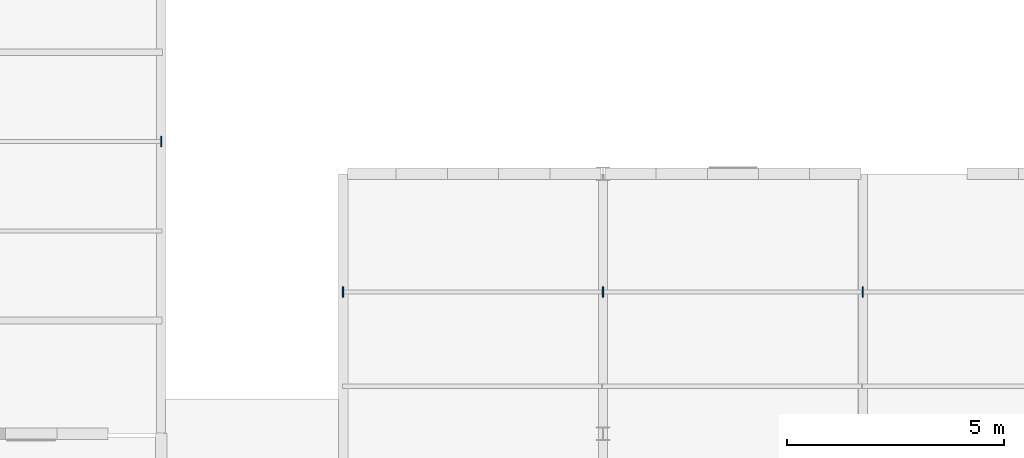
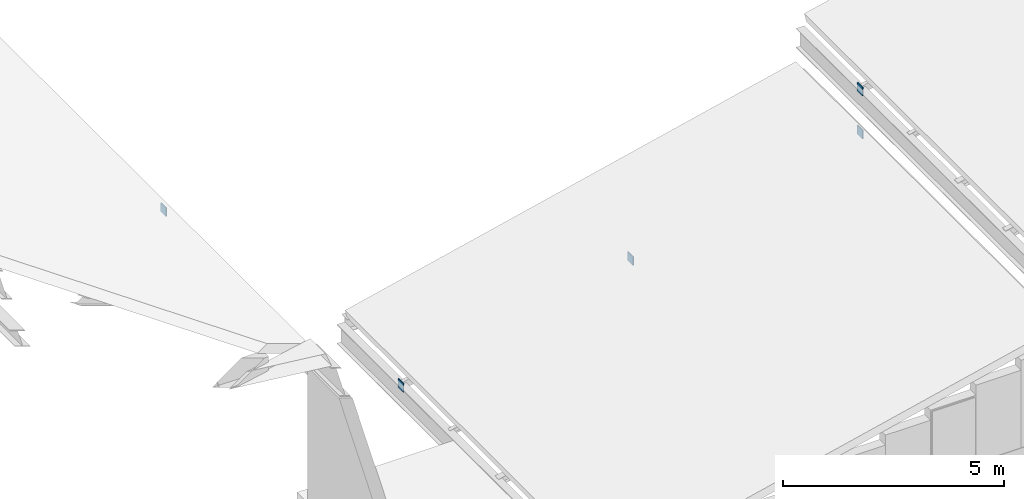
# One storey, part 51 of 74: 5 plates.
"""IFC4 building model written with IfcOpenShell, lengths in metres."""

import ifcopenshell
import ifcopenshell.guid

model = None  # the IFC model being written
_history = None  # IfcOwnerHistory: only IFC2X3 demands one
_inside = {}  # id of a spatial element -> (the spatial element, [elements in it])
_under = {}  # id of a project, library or spatial element -> (it, [spatial elements below it])
_declared = {}  # id of a project -> (the project, [libraries it declares])
_typed = {}  # id of a type object -> (the type object, [elements of that type])
_made_of = {}  # id of a material, layer set ... -> (it, [elements and type objects made of it])


def new_model(schema):
    """Start an empty IFC model of exactly this schema.

    Asked for "IFC4X3", IfcOpenShell would pick the latest addendum, in which some entities
    have other attributes; the version numbers below select the first issue.
    IFC2X3 requires an IfcOwnerHistory on every rooted entity: one is made here for all.
    """
    global model, _history
    if schema == "IFC4X3":
        model = ifcopenshell.file(schema_version=(4, 3, 0, 0))
    else:
        model = ifcopenshell.file(schema=schema)
    _inside.clear()
    _under.clear()
    _declared.clear()
    _typed.clear()
    _made_of.clear()
    _history = None
    if model.schema == "IFC2X3":
        org = make("IfcOrganization", Name="unknown")
        user = make(
            "IfcPersonAndOrganization",
            ThePerson=make("IfcPerson", FamilyName="unknown"),
            TheOrganization=org,
        )
        app = make(
            "IfcApplication",
            ApplicationDeveloper=org,
            Version="unknown",
            ApplicationFullName="unknown",
            ApplicationIdentifier="unknown",
        )
        _history = make(
            "IfcOwnerHistory",
            OwningUser=user,
            OwningApplication=app,
            ChangeAction="ADDED",
            CreationDate=0,
        )
    return model


def make(cls, **values):
    """One entity of the class cls with the attributes given. An attribute that is None is left unset."""
    return model.create_entity(
        cls, **{name: value for name, value in values.items() if value is not None}
    )


def rooted(cls, **values):
    """An entity with a GlobalId (a new one), such as an element, a storey or a relation."""
    return make(cls, GlobalId=ifcopenshell.guid.new(), OwnerHistory=_history, **values)


def si_unit(unit_type, name, prefix=None):
    """IfcSIUnit, for example si_unit("LENGTHUNIT", "METRE", prefix="MILLI")."""
    return make("IfcSIUnit", UnitType=unit_type, Prefix=prefix, Name=name)


def assignment(units):
    """IfcUnitAssignment: the units of a project."""
    return None if units is None else make("IfcUnitAssignment", Units=units)


def point(xyz):
    """IfcCartesianPoint."""
    return None if xyz is None else make("IfcCartesianPoint", Coordinates=xyz)


def direction(xyz):
    """IfcDirection."""
    return None if xyz is None else make("IfcDirection", DirectionRatios=xyz)


def frame(location, z_axis=None, x_axis=None):
    """IfcAxis2Placement3D, a coordinate frame: its origin and axes. An axis left out is left unset."""
    return make(
        "IfcAxis2Placement3D",
        Location=point(location),
        Axis=direction(z_axis),
        RefDirection=direction(x_axis),
    )


def frame_2d(location, x_axis=None):
    """IfcAxis2Placement2D, a coordinate frame in the plane: its origin and x axis."""
    return make(
        "IfcAxis2Placement2D", Location=point(location), RefDirection=direction(x_axis)
    )


def origin():
    """The frame at (0, 0, 0) with its axes left unset."""
    return frame((0.0, 0.0, 0.0))


def origin_2d():
    """The frame at (0, 0) in the plane with its x axis left unset."""
    return frame_2d((0.0, 0.0))


def place(relative_to, where):
    """IfcLocalPlacement: puts the frame where relative to a parent placement (None: the world)."""
    return make(
        "IfcLocalPlacement", PlacementRelTo=relative_to, RelativePlacement=where
    )


def context(
    kind, dimensions, precision=None, world=None, true_north=None, identifier=None
):
    """IfcGeometricRepresentationContext, for example the 3D "Model" context."""
    return make(
        "IfcGeometricRepresentationContext",
        ContextIdentifier=identifier,
        ContextType=kind,
        CoordinateSpaceDimension=dimensions,
        Precision=precision,
        WorldCoordinateSystem=world,
        TrueNorth=true_north,
    )


def subcontext(parent, identifier, kind, view, scale=None):
    """IfcGeometricRepresentationSubContext, for example "Body" below "Model"."""
    return make(
        "IfcGeometricRepresentationSubContext",
        ContextIdentifier=identifier,
        ContextType=kind,
        ParentContext=parent,
        TargetScale=scale,
        TargetView=view,
    )


def project(units=None, contexts=None):
    """IfcProject with its units and contexts."""
    return rooted(
        "IfcProject",
        Name="project",
        RepresentationContexts=contexts,
        UnitsInContext=assignment(units),
    )


def spatial(cls, under=None, at=None, **own):
    """A site, building, storey or space (cls), placed at a placement, below another one or the project."""
    s = rooted(cls, ObjectPlacement=at, **own)
    if under is not None:
        _under.setdefault(under.id(), (under, []))[1].append(s)
    return s


def profile(cls, at=None, kind="AREA", **sizes):
    """A parametric profile (cls). Its sizes go by their IFC names, for example OverallWidth=200.0."""
    return make(cls, ProfileType=kind, Position=at, **sizes)


def rectangle(**sizes):
    """IfcRectangleProfileDef."""
    return profile("IfcRectangleProfileDef", **sizes)


def extrude(swept, where, along, depth):
    """IfcExtrudedAreaSolid: the profile swept, set in the frame where, extruded along a direction by depth."""
    return make(
        "IfcExtrudedAreaSolid",
        SweptArea=swept,
        Position=where,
        ExtrudedDirection=direction(along),
        Depth=depth,
    )


def shape(context_of_items, identifier, shape_type, items):
    """IfcShapeRepresentation: the items that make up one representation, for example the "Body"."""
    return make(
        "IfcShapeRepresentation",
        ContextOfItems=context_of_items,
        RepresentationIdentifier=identifier,
        RepresentationType=shape_type,
        Items=items,
    )


def material(Name=None, Category=None):
    """IfcMaterial."""
    return make("IfcMaterial", Name=Name, Category=Category)


def layer(
    of_material, thickness, ventilated=None, Name=None, Category=None, Priority=None
):
    """IfcMaterialLayer: one layer of a wall or slab, of a material (None: an air gap)."""
    return make(
        "IfcMaterialLayer",
        Material=of_material,
        LayerThickness=thickness,
        IsVentilated=ventilated,
        Name=Name,
        Category=Category,
        Priority=Priority,
    )


def layer_set(layers, Name=None):
    """IfcMaterialLayerSet."""
    return make("IfcMaterialLayerSet", MaterialLayers=layers, LayerSetName=Name)


def made_of(thing, what):
    """Note that an element or type object is made of a material, layer set ...; save() writes the relation."""
    if what is not None:
        _made_of.setdefault(what.id(), (what, []))[1].append(thing)
    return thing


def type_object(cls, material=None, **own):
    """A type object (cls), such as IfcWallType, which elements share."""
    return made_of(rooted(cls, **own), material)


def element(
    cls,
    number,
    at=None,
    inside=None,
    cuts=None,
    type_object=None,
    material=None,
    context=None,
    identifier="Body",
    shape_type=None,
    held_by="IfcProductDefinitionShape",
    body=None,
    shapes=None,
    **own,
):
    """One element of the class cls, such as IfcWall. Its Tag is "e" and its number.

    at: its placement. inside: the storey or other place that contains it. cuts: it is an
    opening in that element (IfcRelVoidsElement). A single representation is given by context,
    identifier, shape_type and body (its items); several are given by shapes. held_by: the class
    of the entity that holds the representations. save() writes the other relations.
    """
    e = rooted(cls, Tag="e%d" % number, ObjectPlacement=at, **own)
    if body is not None:
        shapes = [shape(context, identifier, shape_type, body)]
    if shapes is not None:
        e.Representation = make(held_by, Representations=shapes)
    if inside is not None:
        _inside.setdefault(inside.id(), (inside, []))[1].append(e)
    if cuts is not None:
        rooted(
            "IfcRelVoidsElement", RelatingBuildingElement=cuts, RelatedOpeningElement=e
        )
    if type_object is not None:
        _typed.setdefault(type_object.id(), (type_object, []))[1].append(e)
    return made_of(e, material)


def aggregate(whole, parts):
    """IfcRelAggregates: a whole, such as a stair, and the parts it consists of."""
    return rooted("IfcRelAggregates", RelatingObject=whole, RelatedObjects=parts)


def save(model, path):
    """Write the relations noted so far, then the file.

    IfcRelAggregates (storeys below a building ...), IfcRelContainedInSpatialStructure (elements
    in a storey), IfcRelDefinesByType, IfcRelAssociatesMaterial and IfcRelDeclares: one each for
    every whole, place, type object, material and project.
    """
    for whole, parts in _under.values():
        aggregate(whole, parts)
    for where, things in _inside.values():
        rooted(
            "IfcRelContainedInSpatialStructure",
            RelatedElements=things,
            RelatingStructure=where,
        )
    for kind, things in _typed.values():
        rooted("IfcRelDefinesByType", RelatedObjects=things, RelatingType=kind)
    for what, things in _made_of.values():
        rooted("IfcRelAssociatesMaterial", RelatedObjects=things, RelatingMaterial=what)
    for by, libraries in _declared.values():
        rooted("IfcRelDeclares", RelatingContext=by, RelatedDefinitions=libraries)
    model.write(path)


model = new_model("IFC4")

# Units and contexts
model_context = context("Model", 3, precision=1e-05, world=origin(), true_north=direction((0.0, 1.0)))
body_context = subcontext(model_context, "Body", "Model", "MODEL_VIEW")
ifc_project = project(units=[si_unit("LENGTHUNIT", "METRE"), si_unit("AREAUNIT", "SQUARE_METRE"), si_unit("VOLUMEUNIT", "CUBIC_METRE"), si_unit("PLANEANGLEUNIT", "RADIAN"), si_unit("MASSUNIT", "GRAM", prefix="KILO")], contexts=[model_context])

# Site, building, storey
site_placement = place(None, origin())
site = spatial("IfcSite", under=ifc_project, at=site_placement, CompositionType="ELEMENT")
building_placement = place(site_placement, origin())
building = spatial("IfcBuilding", under=site, at=building_placement, Name="Siltcreek Boulevard Central Fire Station", CompositionType="ELEMENT")
storey_placement = place(building_placement, frame((0.0, 0.0, 25.199951171875)))
storey = spatial("IfcBuildingStorey", under=building, at=storey_placement, Name="RF", CompositionType="ELEMENT", Elevation=25.199951171875)

# Plates
ifc_material = material(Name="Structural steel ASTM A572 Gr50", Category="steel")
ifc_layer = layer(ifc_material, 0.02490234375, Name="Structural steel ASTM A572 Gr50")
ifc_layer_set = layer_set([ifc_layer], Name="Structural steel ASTM A572 Gr50")
plate_type = type_object("IfcPlateType", Name="PL_CAP25", PredefinedType="USERDEFINED", material=ifc_layer_set)
for number, where, z_axis, x_axis, name in (
    (1, (108.0, 30.742919921875, -11.3046875), (0.0, 0.0, 1.0), (1.0, 0.0, 0.0), "Sloped roof purlin PR-0155 sealed end cap 2"),
    (2, (112.19970703125, 27.27001953125, -15.52294921875), (0.0, 0.0, 1.0), (1.0, 0.0, 0.0), "Sloped roof purlin PR-0291 sealed end cap 1"),
    (3, (118.2001953125, 27.27001953125, -14.12255859375), (0.0, 0.0, 1.0), (1.0, 0.0, 0.0), "Sloped roof purlin PR-0291 sealed end cap 2"),
    (4, (124.2001953125, 27.27001953125, -12.72265625), (0.0, 0.0, 1.0), (1.0, 0.0, 0.0), "Sloped roof purlin PR-0295 sealed end cap 2"),
    (5, (124.19970703125, 27.27001953125, -11.54296875), (0.0, 0.0, 1.0), (1.0, 0.0, 0.0), "Sloped roof purlin PR-0299 sealed end cap 1"),
):
    element("IfcPlate", number, at=place(storey_placement, frame(where, z_axis=z_axis, x_axis=x_axis)), inside=storey, type_object=plate_type, Name=name, ObjectType="END CAP", PredefinedType="USERDEFINED", context=body_context, shape_type="SweptSolid", body=[
        extrude(rectangle(XDim=0.02490234375, YDim=0.239990234375, at=origin_2d()), origin(), (0.0, 0.0, 1.0), 0.239990234375),
    ])

save(model, "model.ifc")
